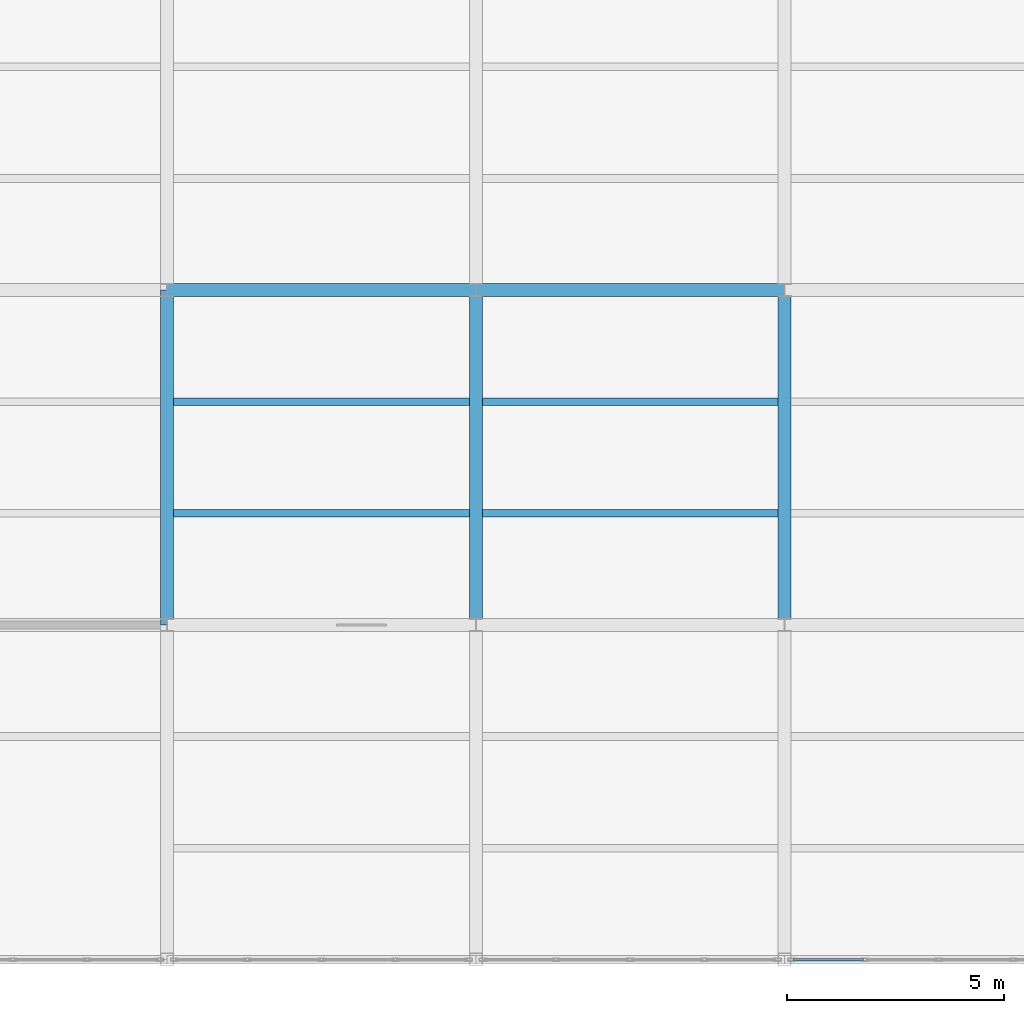
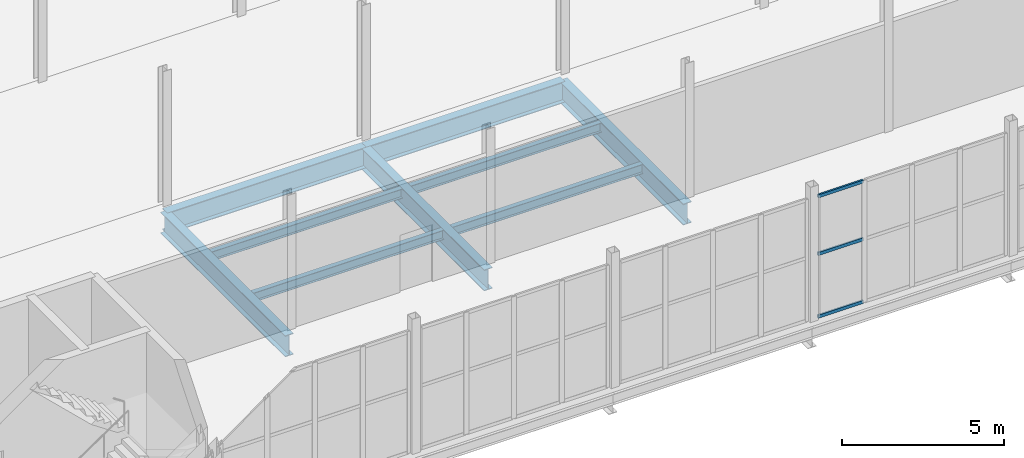
# One storey, part 118 of 218: 9 beams, 3 members, 1 element without a shape of its own.
"""IFC4 building model written with IfcOpenShell, lengths in metres."""

from ifc_helpers import new_model, si_unit, direction, frame, origin, origin_2d, place, context, subcontext, project, spatial, hollow_rectangle, i_section, extrude, material, material_profile, profile_set, type_object, element, aggregate, save


model = new_model("IFC4")

# Units and contexts
model_context = context("Model", 3, precision=1e-05, world=origin(), true_north=direction((0.0, 1.0)))
body_context = subcontext(model_context, "Body", "Model", "MODEL_VIEW")
ifc_project = project(units=[si_unit("LENGTHUNIT", "METRE"), si_unit("AREAUNIT", "SQUARE_METRE"), si_unit("VOLUMEUNIT", "CUBIC_METRE"), si_unit("PLANEANGLEUNIT", "RADIAN"), si_unit("MASSUNIT", "GRAM", prefix="KILO")], contexts=[model_context])

# Site, building, storey
site_placement = place(None, origin())
site = spatial("IfcSite", under=ifc_project, at=site_placement, CompositionType="ELEMENT")
building_placement = place(site_placement, origin())
building = spatial("IfcBuilding", under=site, at=building_placement, Name="Kazenagashi Tramway Depot", CompositionType="ELEMENT")
storey_placement = place(building_placement, frame((0.0, 0.0, 6.0)))
storey = spatial("IfcBuildingStorey", under=building, at=storey_placement, Name="L02", CompositionType="ELEMENT", Elevation=6.0)

# Beams
ifc_material_1 = material(Name="Steel SN490B", Category="steel")
ifc_material_profile_1 = material_profile(ifc_material_1, i_section(OverallWidth=0.3, OverallDepth=0.8, WebThickness=0.014, FlangeThickness=0.026, at=origin_2d()), Name="H-800x300x14x26")
ifc_profile_set_1 = profile_set([ifc_material_profile_1], Name="Steel SN490B")
beam_type_1 = type_object("IfcBeamType", Name="G-07", PredefinedType="BEAM", material=ifc_profile_set_1)
for number, where, z_axis, x_axis, name in (
    (1, (160.5, 15.4, -0.68), (1.0, 0.0, 0.0), (0.0, 1.0, 0.0), "Beam G-07 BM-1196"),
    (2, (167.6, 15.4, -0.68), (1.0, 0.0, 0.0), (0.0, 1.0, 0.0), "Beam G-07 BM-1197"),
):
    element("IfcBeam", number, at=place(storey_placement, frame(where, z_axis=z_axis, x_axis=x_axis)), inside=storey, type_object=beam_type_1, Name=name, PredefinedType="BEAM", context=body_context, shape_type="SweptSolid", body=[
        extrude(i_section(OverallWidth=0.3, OverallDepth=0.8, WebThickness=0.014, FlangeThickness=0.026, at=origin_2d()), origin(), (0.0, 0.0, 1.0), 7.1),
    ])
for number, where, z_axis, x_axis, name in (
    (3, (160.5, 7.7, -0.68), (0.0, 1.0, 0.0), (-1.0, 0.0, 0.0), "Beam G-07 BM-1259"),
    (4, (167.6, 7.7, -0.68), (0.0, 1.0, 0.0), (-1.0, 0.0, 0.0), "Beam G-07 BM-1286"),
    (5, (174.7, 7.7, -0.68), (0.0, 1.0, 0.0), (-1.0, 0.0, 0.0), "Beam G-07 BM-1313"),
):
    element("IfcBeam", number, at=place(storey_placement, frame(where, z_axis=z_axis, x_axis=x_axis)), inside=storey, type_object=beam_type_1, Name=name, PredefinedType="BEAM", context=body_context, shape_type="SweptSolid", body=[
        extrude(i_section(OverallWidth=0.3, OverallDepth=0.8, WebThickness=0.014, FlangeThickness=0.026, at=origin_2d()), origin(), (0.0, 0.0, 1.0), 7.7),
    ])
ifc_material_2 = material(Name="Steel SN400B", Category="steel")
ifc_material_profile_2 = material_profile(ifc_material_2, i_section(OverallWidth=0.175, OverallDepth=0.35, WebThickness=0.007, FlangeThickness=0.011, at=origin_2d()), Name="H-350x175x7x11")
ifc_profile_set_2 = profile_set([ifc_material_profile_2], Name="Steel SN400B")
beam_type_2 = type_object("IfcBeamType", Name="J-01", PredefinedType="JOIST", material=ifc_profile_set_2)
for number, where, z_axis, x_axis, name in (
    (6, (160.65, 10.267, -0.455), (1.0, 0.0, 0.0), (0.0, 1.0, 0.0), "Beam J-01 BM-1260"),
    (7, (160.65, 12.833, -0.455), (1.0, 0.0, 0.0), (0.0, 1.0, 0.0), "Beam J-01 BM-1261"),
    (8, (167.75, 10.267, -0.455), (1.0, 0.0, 0.0), (0.0, 1.0, 0.0), "Beam J-01 BM-1287"),
    (9, (167.75, 12.833, -0.455), (1.0, 0.0, 0.0), (0.0, 1.0, 0.0), "Beam J-01 BM-1288"),
):
    element("IfcBeam", number, at=place(storey_placement, frame(where, z_axis=z_axis, x_axis=x_axis)), inside=storey, type_object=beam_type_2, Name=name, PredefinedType="JOIST", context=body_context, shape_type="SweptSolid", body=[
        extrude(i_section(OverallWidth=0.175, OverallDepth=0.35, WebThickness=0.007, FlangeThickness=0.011, at=origin_2d()), origin(), (0.0, 0.0, 1.0), 6.8),
    ])

# Curtain wall, members
ifc_material_3 = material(Name="Anodised Aluminium and Low-E Glazing", Category="aluminium")
curtain_wall_type = type_object("IfcCurtainWallType", Name="CW-22", PredefinedType="USERDEFINED", material=ifc_material_3)
curtain_wall_placement = place(storey_placement, origin())
curtain_wall = element("IfcCurtainWall", 10, at=curtain_wall_placement, inside=storey, type_object=curtain_wall_type, Name="Industrial Glazed Screen CW-22 CW-0123", ObjectType="GLAZED SCREEN", PredefinedType="USERDEFINED")
ifc_material_4 = material(Name="Anodised Aluminium", Category="aluminium")
ifc_material_profile_3 = material_profile(ifc_material_4, hollow_rectangle(XDim=0.06, YDim=0.12, WallThickness=0.004, at=origin_2d()), Name="RHS-120x60x4")
ifc_profile_set_3 = profile_set([ifc_material_profile_3], Name="Anodised Aluminium")
member_type = type_object("IfcMemberType", Name="TR-01", PredefinedType="USERDEFINED", material=ifc_profile_set_3)
member_1_placement = place(storey_placement, frame((174.9, 0.0, 0.03), z_axis=(1.0, 0.0, 0.0), x_axis=(0.0, 1.0, 0.0)))
member_1 = element("IfcMember", 11, at=member_1_placement, type_object=member_type, Name="CW-22 transom 1.1", ObjectType="TRANSOM", PredefinedType="USERDEFINED", context=body_context, shape_type="SweptSolid", body=[
    extrude(hollow_rectangle(XDim=0.06, YDim=0.12, WallThickness=0.004, at=origin_2d()), origin(), (0.0, 0.0, 1.0), 1.615),
])
member_2_placement = place(storey_placement, frame((174.9, 0.0, 2.392), z_axis=(1.0, 0.0, 0.0), x_axis=(0.0, 1.0, 0.0)))
member_2 = element("IfcMember", 12, at=member_2_placement, type_object=member_type, Name="CW-22 transom 1.2", ObjectType="TRANSOM", PredefinedType="USERDEFINED", context=body_context, shape_type="SweptSolid", body=[
    extrude(hollow_rectangle(XDim=0.06, YDim=0.12, WallThickness=0.004, at=origin_2d()), origin(), (0.0, 0.0, 1.0), 1.615),
])
member_3_placement = place(storey_placement, frame((174.9, 0.0, 4.57), z_axis=(1.0, 0.0, 0.0), x_axis=(0.0, 1.0, 0.0)))
member_3 = element("IfcMember", 13, at=member_3_placement, type_object=member_type, Name="CW-22 transom 1.3", ObjectType="TRANSOM", PredefinedType="USERDEFINED", context=body_context, shape_type="SweptSolid", body=[
    extrude(hollow_rectangle(XDim=0.06, YDim=0.12, WallThickness=0.004, at=origin_2d()), origin(), (0.0, 0.0, 1.0), 1.615),
])
aggregate(curtain_wall, [member_1, member_2, member_3])

save(model, "model.ifc")
